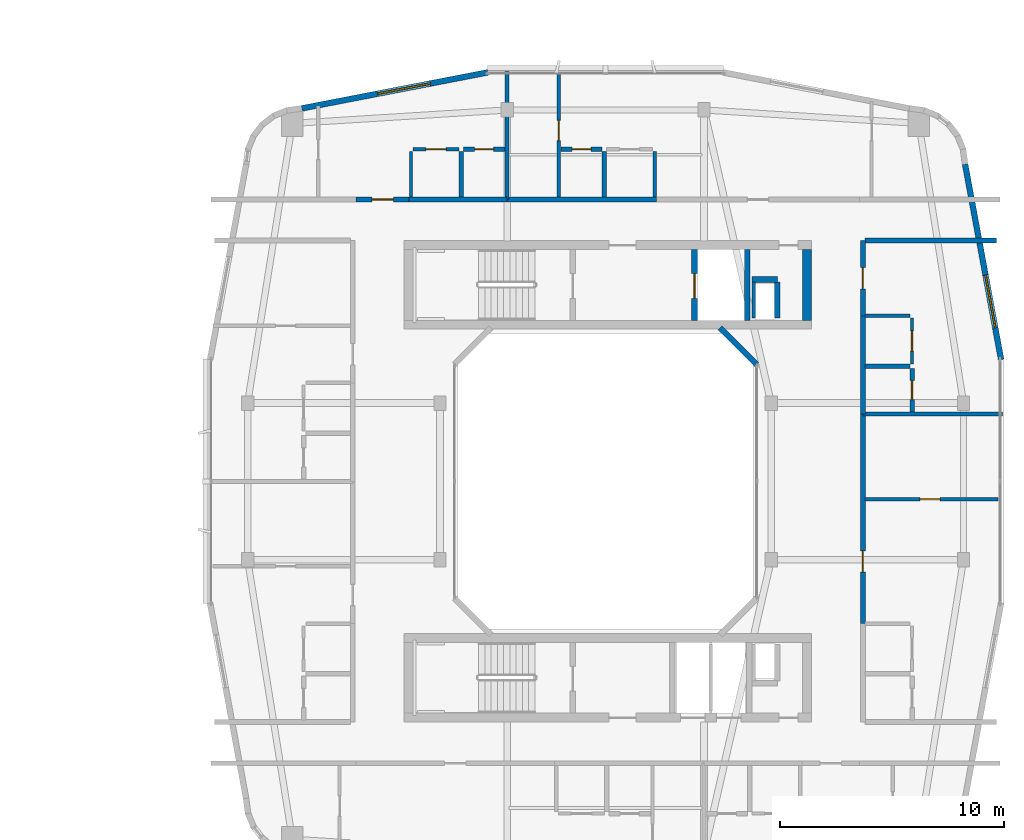
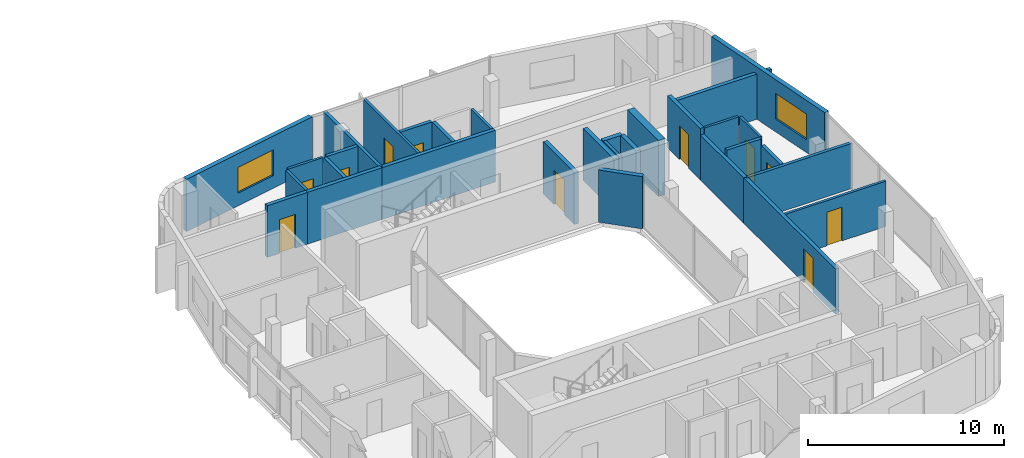
# One storey, part 19 of 26: 31 walls, 11 doors, 2 windows, 13 openings.
"""IFC4 building model written with IfcOpenShell, lengths in metres."""

import ifcopenshell
import ifcopenshell.guid

model = None  # the IFC model being written
_history = None  # IfcOwnerHistory: only IFC2X3 demands one
_inside = {}  # id of a spatial element -> (the spatial element, [elements in it])
_under = {}  # id of a project, library or spatial element -> (it, [spatial elements below it])
_declared = {}  # id of a project -> (the project, [libraries it declares])
_typed = {}  # id of a type object -> (the type object, [elements of that type])
_made_of = {}  # id of a material, layer set ... -> (it, [elements and type objects made of it])


def new_model(schema):
    """Start an empty IFC model of exactly this schema.

    Asked for "IFC4X3", IfcOpenShell would pick the latest addendum, in which some entities
    have other attributes; the version numbers below select the first issue.
    IFC2X3 requires an IfcOwnerHistory on every rooted entity: one is made here for all.
    """
    global model, _history
    if schema == "IFC4X3":
        model = ifcopenshell.file(schema_version=(4, 3, 0, 0))
    else:
        model = ifcopenshell.file(schema=schema)
    _inside.clear()
    _under.clear()
    _declared.clear()
    _typed.clear()
    _made_of.clear()
    _history = None
    if model.schema == "IFC2X3":
        org = make("IfcOrganization", Name="unknown")
        user = make(
            "IfcPersonAndOrganization",
            ThePerson=make("IfcPerson", FamilyName="unknown"),
            TheOrganization=org,
        )
        app = make(
            "IfcApplication",
            ApplicationDeveloper=org,
            Version="unknown",
            ApplicationFullName="unknown",
            ApplicationIdentifier="unknown",
        )
        _history = make(
            "IfcOwnerHistory",
            OwningUser=user,
            OwningApplication=app,
            ChangeAction="ADDED",
            CreationDate=0,
        )
    return model


def make(cls, **values):
    """One entity of the class cls with the attributes given. An attribute that is None is left unset."""
    return model.create_entity(
        cls, **{name: value for name, value in values.items() if value is not None}
    )


def rooted(cls, **values):
    """An entity with a GlobalId (a new one), such as an element, a storey or a relation."""
    return make(cls, GlobalId=ifcopenshell.guid.new(), OwnerHistory=_history, **values)


def si_unit(unit_type, name, prefix=None):
    """IfcSIUnit, for example si_unit("LENGTHUNIT", "METRE", prefix="MILLI")."""
    return make("IfcSIUnit", UnitType=unit_type, Prefix=prefix, Name=name)


def derived_unit(unit_type, elements):
    """IfcDerivedUnit: a product of units, each with its exponent."""
    return make(
        "IfcDerivedUnit",
        Elements=[
            make("IfcDerivedUnitElement", Unit=unit, Exponent=power)
            for unit, power in elements
        ],
        UnitType=unit_type,
    )


def assignment(units):
    """IfcUnitAssignment: the units of a project."""
    return None if units is None else make("IfcUnitAssignment", Units=units)


def point(xyz):
    """IfcCartesianPoint."""
    return None if xyz is None else make("IfcCartesianPoint", Coordinates=xyz)


def direction(xyz):
    """IfcDirection."""
    return None if xyz is None else make("IfcDirection", DirectionRatios=xyz)


def frame(location, z_axis=None, x_axis=None):
    """IfcAxis2Placement3D, a coordinate frame: its origin and axes. An axis left out is left unset."""
    return make(
        "IfcAxis2Placement3D",
        Location=point(location),
        Axis=direction(z_axis),
        RefDirection=direction(x_axis),
    )


def frame_2d(location, x_axis=None):
    """IfcAxis2Placement2D, a coordinate frame in the plane: its origin and x axis."""
    return make(
        "IfcAxis2Placement2D", Location=point(location), RefDirection=direction(x_axis)
    )


def origin():
    """The frame at (0, 0, 0) with its axes left unset."""
    return frame((0.0, 0.0, 0.0))


def place(relative_to, where):
    """IfcLocalPlacement: puts the frame where relative to a parent placement (None: the world)."""
    return make(
        "IfcLocalPlacement", PlacementRelTo=relative_to, RelativePlacement=where
    )


def context(
    kind, dimensions, precision=None, world=None, true_north=None, identifier=None
):
    """IfcGeometricRepresentationContext, for example the 3D "Model" context."""
    return make(
        "IfcGeometricRepresentationContext",
        ContextIdentifier=identifier,
        ContextType=kind,
        CoordinateSpaceDimension=dimensions,
        Precision=precision,
        WorldCoordinateSystem=world,
        TrueNorth=true_north,
    )


def subcontext(parent, identifier, kind, view, scale=None):
    """IfcGeometricRepresentationSubContext, for example "Body" below "Model"."""
    return make(
        "IfcGeometricRepresentationSubContext",
        ContextIdentifier=identifier,
        ContextType=kind,
        ParentContext=parent,
        TargetScale=scale,
        TargetView=view,
    )


def project(units=None, contexts=None):
    """IfcProject with its units and contexts."""
    return rooted(
        "IfcProject",
        Name="project",
        RepresentationContexts=contexts,
        UnitsInContext=assignment(units),
    )


def spatial(cls, under=None, at=None, **own):
    """A site, building, storey or space (cls), placed at a placement, below another one or the project."""
    s = rooted(cls, ObjectPlacement=at, **own)
    if under is not None:
        _under.setdefault(under.id(), (under, []))[1].append(s)
    return s


def profile(cls, at=None, kind="AREA", **sizes):
    """A parametric profile (cls). Its sizes go by their IFC names, for example OverallWidth=200.0."""
    return make(cls, ProfileType=kind, Position=at, **sizes)


def rectangle(**sizes):
    """IfcRectangleProfileDef."""
    return profile("IfcRectangleProfileDef", **sizes)


def extrude(swept, where, along, depth):
    """IfcExtrudedAreaSolid: the profile swept, set in the frame where, extruded along a direction by depth."""
    return make(
        "IfcExtrudedAreaSolid",
        SweptArea=swept,
        Position=where,
        ExtrudedDirection=direction(along),
        Depth=depth,
    )


def shape(context_of_items, identifier, shape_type, items):
    """IfcShapeRepresentation: the items that make up one representation, for example the "Body"."""
    return make(
        "IfcShapeRepresentation",
        ContextOfItems=context_of_items,
        RepresentationIdentifier=identifier,
        RepresentationType=shape_type,
        Items=items,
    )


def material(Name=None, Category=None):
    """IfcMaterial."""
    return make("IfcMaterial", Name=Name, Category=Category)


def layer(
    of_material, thickness, ventilated=None, Name=None, Category=None, Priority=None
):
    """IfcMaterialLayer: one layer of a wall or slab, of a material (None: an air gap)."""
    return make(
        "IfcMaterialLayer",
        Material=of_material,
        LayerThickness=thickness,
        IsVentilated=ventilated,
        Name=Name,
        Category=Category,
        Priority=Priority,
    )


def layer_set(layers, Name=None):
    """IfcMaterialLayerSet."""
    return make("IfcMaterialLayerSet", MaterialLayers=layers, LayerSetName=Name)


def made_of(thing, what):
    """Note that an element or type object is made of a material, layer set ...; save() writes the relation."""
    if what is not None:
        _made_of.setdefault(what.id(), (what, []))[1].append(thing)
    return thing


def type_object(cls, material=None, **own):
    """A type object (cls), such as IfcWallType, which elements share."""
    return made_of(rooted(cls, **own), material)


def element(
    cls,
    number,
    at=None,
    inside=None,
    cuts=None,
    type_object=None,
    material=None,
    context=None,
    identifier="Body",
    shape_type=None,
    held_by="IfcProductDefinitionShape",
    body=None,
    shapes=None,
    **own,
):
    """One element of the class cls, such as IfcWall. Its Tag is "e" and its number.

    at: its placement. inside: the storey or other place that contains it. cuts: it is an
    opening in that element (IfcRelVoidsElement). A single representation is given by context,
    identifier, shape_type and body (its items); several are given by shapes. held_by: the class
    of the entity that holds the representations. save() writes the other relations.
    """
    e = rooted(cls, Tag="e%d" % number, ObjectPlacement=at, **own)
    if body is not None:
        shapes = [shape(context, identifier, shape_type, body)]
    if shapes is not None:
        e.Representation = make(held_by, Representations=shapes)
    if inside is not None:
        _inside.setdefault(inside.id(), (inside, []))[1].append(e)
    if cuts is not None:
        rooted(
            "IfcRelVoidsElement", RelatingBuildingElement=cuts, RelatedOpeningElement=e
        )
    if type_object is not None:
        _typed.setdefault(type_object.id(), (type_object, []))[1].append(e)
    return made_of(e, material)


def fill(opening, filler):
    """IfcRelFillsElement: the door or window that sits in an opening."""
    return rooted(
        "IfcRelFillsElement",
        RelatingOpeningElement=opening,
        RelatedBuildingElement=filler,
    )


def aggregate(whole, parts):
    """IfcRelAggregates: a whole, such as a stair, and the parts it consists of."""
    return rooted("IfcRelAggregates", RelatingObject=whole, RelatedObjects=parts)


def save(model, path):
    """Write the relations noted so far, then the file.

    IfcRelAggregates (storeys below a building ...), IfcRelContainedInSpatialStructure (elements
    in a storey), IfcRelDefinesByType, IfcRelAssociatesMaterial and IfcRelDeclares: one each for
    every whole, place, type object, material and project.
    """
    for whole, parts in _under.values():
        aggregate(whole, parts)
    for where, things in _inside.values():
        rooted(
            "IfcRelContainedInSpatialStructure",
            RelatedElements=things,
            RelatingStructure=where,
        )
    for kind, things in _typed.values():
        rooted("IfcRelDefinesByType", RelatedObjects=things, RelatingType=kind)
    for what, things in _made_of.values():
        rooted("IfcRelAssociatesMaterial", RelatedObjects=things, RelatingMaterial=what)
    for by, libraries in _declared.values():
        rooted("IfcRelDeclares", RelatingContext=by, RelatedDefinitions=libraries)
    model.write(path)


model = new_model("IFC4")

# Units and contexts
model_context = context("Model", 3, precision=1e-05, world=origin(), true_north=direction((0.0, 1.0)))
body_context = subcontext(model_context, "Body", "Model", "MODEL_VIEW")
ifc_project = project(units=[si_unit("LENGTHUNIT", "METRE"), si_unit("AREAUNIT", "SQUARE_METRE"), si_unit("VOLUMEUNIT", "CUBIC_METRE"), si_unit("PLANEANGLEUNIT", "RADIAN"), si_unit("MASSUNIT", "GRAM", prefix="KILO"), derived_unit("THERMALTRANSMITTANCEUNIT", [(si_unit("POWERUNIT", "WATT"), 1), (si_unit("LENGTHUNIT", "METRE"), -2), (si_unit("THERMODYNAMICTEMPERATUREUNIT", "KELVIN"), -1)])], contexts=[model_context])

# Site, building, storey
site_placement = place(None, origin())
site = spatial("IfcSite", under=ifc_project, at=site_placement, CompositionType="ELEMENT")
building_placement = place(site_placement, origin())
building = spatial("IfcBuilding", under=site, at=building_placement, Name="Kivonza Crest Hotel", CompositionType="ELEMENT")
storey_placement = place(building_placement, frame((0.0, 0.0, 127.5)))
storey = spatial("IfcBuildingStorey", under=building, at=storey_placement, Name="L34", CompositionType="ELEMENT", Elevation=127.5)

# Walls
ifc_material_1 = material(Name="High-density acoustic masonry inter-tenancy wall", Category="masonry")
ifc_layer_1 = layer(ifc_material_1, 0.179931640625)
ifc_layer_set_1 = layer_set([ifc_layer_1], Name="High-density acoustic masonry inter-tenancy wall")
wall_type_1 = type_object("IfcWallType", Name="WL-ACOU-180", PredefinedType="SOLIDWALL", material=ifc_layer_set_1)
wall_1_placement = place(storey_placement, frame((72.60009765625, 37.60009765625, 0.0), z_axis=(0.0, 0.0, 1.0), x_axis=(0.0, 1.0, 0.0)))
element("IfcWall", 1, at=wall_1_placement, inside=storey, type_object=wall_type_1, Name="L34 interior partition WA-L34-T2N-DIV1", PredefinedType="SOLIDWALL", context=body_context, shape_type="SweptSolid", body=[
    extrude(rectangle(XDim=5.739990234375, YDim=0.179931640625, at=frame_2d((2.8701171875, 0.0))), origin(), (0.0, 0.0, 1.0), 3.219970703125),
])
wall_2_placement = place(storey_placement, frame((88.5, 28.0, 0.0), z_axis=(0.0, 0.0, 1.0), x_axis=(1.0, 0.0, 0.0)))
element("IfcWall", 2, at=wall_2_placement, inside=storey, type_object=wall_type_1, Name="L34 interior partition WA-L34-T2E-DIV1", PredefinedType="SOLIDWALL", context=body_context, shape_type="SweptSolid", body=[
    extrude(rectangle(XDim=6.239990234375, YDim=0.179931640625, at=frame_2d((3.1201171875, 0.0))), origin(), (0.0, 0.0, 1.0), 2.81494140625),
])
ifc_material_2 = material(Name="Autoclaved aerated concrete blockwork", Category="masonry")
ifc_layer_2 = layer(ifc_material_2, 0.219970703125)
ifc_layer_set_2 = layer_set([ifc_layer_2], Name="Autoclaved aerated concrete blockwork")
wall_type_2 = type_object("IfcWallType", Name="WL-ACOU-220", PredefinedType="SOLIDWALL", material=ifc_layer_set_2)
wall_3_placement = place(storey_placement, frame((68.219970703125, 37.60009765625, 0.0), z_axis=(0.0, 0.0, 1.0), x_axis=(1.0, 0.0, 0.0)))
element("IfcWall", 3, at=wall_3_placement, inside=storey, type_object=wall_type_2, Name="L34 interior partition WA-L34-A01-RCORR", PredefinedType="SOLIDWALL", context=body_context, shape_type="SweptSolid", body=[
    extrude(rectangle(XDim=4.380126953125, YDim=0.219970703125, at=frame_2d((2.18994140625, 0.0))), origin(), (0.0, 0.0, 1.0), 3.219970703125),
])

# Wall, opening, door
wall_4_placement = place(storey_placement, frame((65.85009765625, 37.60009765625, 0.0), z_axis=(0.0, 0.0, 1.0), x_axis=(1.0, 0.0, 0.0)))
wall_4 = element("IfcWall", 4, at=wall_4_placement, inside=storey, type_object=wall_type_2, Name="L34 interior partition WA-L34-A01-MCORR", PredefinedType="SOLIDWALL", context=body_context, shape_type="SweptSolid", body=[
    extrude(rectangle(XDim=2.369873046875, YDim=0.219970703125, at=frame_2d((1.18505859375, 0.0))), origin(), (0.0, 0.0, 1.0), 3.219970703125),
])
opening_1_placement = place(wall_4_placement, frame((0.7099609375, 0.0, 0.0)))
opening_1 = element("IfcOpeningElement", 5, at=opening_1_placement, cuts=wall_4, Name="Opening DU-60", PredefinedType="OPENING", context=body_context, shape_type="SweptSolid", body=[
    extrude(rectangle(XDim=0.949951171875, YDim=2.10009765625, at=frame_2d((0.47509765625, 1.050048828125))), frame((0.0, 0.1201171875, 0.0), z_axis=(0.0, -1.0, 0.0), x_axis=(1.0, 0.0, 0.0)), (0.0, 0.0, 1.0), 0.239990234375),
])
ifc_material_3 = material(Name="Hardwood timber oak", Category="wood")
door_type_1 = type_object("IfcDoorType", Name="DR-UNIT-950", OperationType="NOTDEFINED", PredefinedType="DOOR", material=ifc_material_3)
door_1_placement = place(opening_1_placement, origin())
door_1 = element("IfcDoor", 6, at=door_1_placement, inside=storey, type_object=door_type_1, Name="L34 A01 apartment entrance fire door", OperationType="SINGLE_SWING_LEFT", OverallHeight=2.10009765625, OverallWidth=0.949951171875, PredefinedType="DOOR", context=body_context, shape_type="SweptSolid", body=[
    extrude(rectangle(XDim=0.949951171875, YDim=2.10009765625, at=frame_2d((0.47509765625, 1.050048828125))), frame((0.0, 0.02490234375, 0.0), z_axis=(0.0, -1.0, 0.0), x_axis=(1.0, 0.0, 0.0)), (0.0, 0.0, 1.0), 0.050048828125),
])
fill(opening_1, door_1)

# Walls
wall_5_placement = place(storey_placement, frame((72.60009765625, 37.60009765625, 0.0), z_axis=(0.0, 0.0, 1.0), x_axis=(1.0, 0.0, 0.0)))
element("IfcWall", 7, at=wall_5_placement, inside=storey, type_object=wall_type_2, Name="L34 interior partition WA-L34-A02-LCORR", PredefinedType="SOLIDWALL", context=body_context, shape_type="SweptSolid", body=[
    extrude(rectangle(XDim=6.679931640625, YDim=0.219970703125, at=frame_2d((3.33984375, 0.0))), origin(), (0.0, 0.0, 1.0), 3.219970703125),
])
wall_6_placement = place(storey_placement, frame((88.60009765625, 35.760009765625, 0.0), z_axis=(0.0, 0.0, 1.0), x_axis=(1.0, 0.0, 0.0)))
element("IfcWall", 8, at=wall_6_placement, inside=storey, type_object=wall_type_2, Name="L34 interior partition WA-L34-T2E-ENDN", PredefinedType="SOLIDWALL", context=body_context, shape_type="SweptSolid", body=[
    extrude(rectangle(XDim=5.8798828125, YDim=0.219970703125, at=frame_2d((2.93994140625, 0.0))), origin(), (0.0, 0.0, 1.0), 2.81494140625),
])

# Wall, opening, door
wall_7_placement = place(storey_placement, frame((88.5, 18.639892578125, 0.0), z_axis=(0.0, 0.0, 1.0), x_axis=(0.0, 1.0, 0.0)))
wall_7 = element("IfcWall", 9, at=wall_7_placement, inside=storey, type_object=wall_type_2, Name="L34 interior partition WA-L34-A07-MCORR", PredefinedType="SOLIDWALL", context=body_context, shape_type="SweptSolid", body=[
    extrude(rectangle(XDim=9.360107421875, YDim=0.219970703125, at=frame_2d((4.68017578125, 0.0))), origin(), (0.0, 0.0, 1.0), 2.81494140625),
])
opening_2_placement = place(wall_7_placement, frame((2.304931640625, 0.0, 0.0)))
opening_2 = element("IfcOpeningElement", 10, at=opening_2_placement, cuts=wall_7, Name="Opening DU-60", PredefinedType="OPENING", context=body_context, shape_type="SweptSolid", body=[
    extrude(rectangle(XDim=0.949951171875, YDim=2.10009765625, at=frame_2d((0.47509765625, 1.050048828125))), frame((0.0, 0.1201171875, 0.0), z_axis=(0.0, -1.0, 0.0), x_axis=(1.0, 0.0, 0.0)), (0.0, 0.0, 1.0), 0.239990234375),
])
door_2_placement = place(opening_2_placement, frame((0.949951171875, 0.0, 0.0), z_axis=(0.0, 0.0, 1.0), x_axis=(-1.0, 0.0, 0.0)))
door_2 = element("IfcDoor", 11, at=door_2_placement, inside=storey, type_object=door_type_1, Name="L34 A07 apartment entrance fire door", OperationType="SINGLE_SWING_LEFT", OverallHeight=2.10009765625, OverallWidth=0.949951171875, PredefinedType="DOOR", context=body_context, shape_type="SweptSolid", body=[
    extrude(rectangle(XDim=0.949951171875, YDim=2.10009765625, at=frame_2d((0.47509765625, 1.050048828125))), frame((0.0, 0.02490234375, 0.0), z_axis=(0.0, -1.0, 0.0), x_axis=(1.0, 0.0, 0.0)), (0.0, 0.0, 1.0), 0.050048828125),
])
fill(opening_2, door_2)

# Wall
wall_8_placement = place(storey_placement, frame((88.5, 28.0, 0.0), z_axis=(0.0, 0.0, 1.0), x_axis=(0.0, 1.0, 0.0)))
element("IfcWall", 12, at=wall_8_placement, inside=storey, type_object=wall_type_2, Name="L34 interior partition WA-L34-A08-BCORR", PredefinedType="SOLIDWALL", context=body_context, shape_type="SweptSolid", body=[
    extrude(rectangle(XDim=4.39990234375, YDim=0.219970703125, at=frame_2d((2.199951171875, 0.0))), origin(), (0.0, 0.0, 1.0), 2.81494140625),
])

# Wall, opening, door
wall_9_placement = place(storey_placement, frame((88.5, 32.39990234375, 0.0), z_axis=(0.0, 0.0, 1.0), x_axis=(0.0, 1.0, 0.0)))
wall_9 = element("IfcWall", 13, at=wall_9_placement, inside=storey, type_object=wall_type_2, Name="L34 interior partition WA-L34-A08-MCORR", PredefinedType="SOLIDWALL", context=body_context, shape_type="SweptSolid", body=[
    extrude(rectangle(XDim=3.360107421875, YDim=0.219970703125, at=frame_2d((1.68017578125, 0.0))), origin(), (0.0, 0.0, 1.0), 3.219970703125),
])
opening_3_placement = place(wall_9_placement, frame((1.205078125, 0.0, 0.0)))
opening_3 = element("IfcOpeningElement", 14, at=opening_3_placement, cuts=wall_9, Name="Opening DU-60", PredefinedType="OPENING", context=body_context, shape_type="SweptSolid", body=[
    extrude(rectangle(XDim=0.949951171875, YDim=2.10009765625, at=frame_2d((0.47509765625, 1.050048828125))), frame((0.0, 0.1201171875, 0.0), z_axis=(0.0, -1.0, 0.0), x_axis=(1.0, 0.0, 0.0)), (0.0, 0.0, 1.0), 0.239990234375),
])
door_3_placement = place(opening_3_placement, frame((0.949951171875, 0.0, 0.0), z_axis=(0.0, 0.0, 1.0), x_axis=(-1.0, 0.0, 0.0)))
door_3 = element("IfcDoor", 15, at=door_3_placement, inside=storey, type_object=door_type_1, Name="L34 A08 apartment entrance fire door", OperationType="SINGLE_SWING_RIGHT", OverallHeight=2.10009765625, OverallWidth=0.949951171875, PredefinedType="DOOR", context=body_context, shape_type="SweptSolid", body=[
    extrude(rectangle(XDim=0.949951171875, YDim=2.10009765625, at=frame_2d((0.47509765625, 1.050048828125))), frame((0.0, 0.02490234375, 0.0), z_axis=(0.0, -1.0, 0.0), x_axis=(1.0, 0.0, 0.0)), (0.0, 0.0, 1.0), 0.050048828125),
])
fill(opening_3, door_3)

# Wall
ifc_material_4 = material(Name="Concrete C50/60", Category="concrete")
ifc_layer_3 = layer(ifc_material_4, 0.39990234375)
ifc_layer_set_3 = layer_set([ifc_layer_3], Name="Concrete C50/60")
wall_type_3 = type_object("IfcWallType", Name="WL-CORE-400", PredefinedType="SHEAR", material=ifc_layer_set_3)
wall_10_placement = place(storey_placement, frame((86.0, 32.199951171875, 0.0), z_axis=(0.0, 0.0, 1.0), x_axis=(0.0, 1.0, 0.0)))
element("IfcWall", 16, at=wall_10_placement, inside=storey, type_object=wall_type_3, Name="Core wall T2-N East L34", PredefinedType="SHEAR", context=body_context, shape_type="SweptSolid", body=[
    extrude(rectangle(XDim=3.16015625, YDim=0.39990234375, at=frame_2d((1.580078125, 0.0))), origin(), (0.0, 0.0, 1.0), 3.5),
])

# Wall, opening, window
ifc_material_5 = material(Name="Precast concrete C40/50", Category="concrete")
ifc_layer_4 = layer(ifc_material_5, 0.260009765625)
ifc_layer_set_4 = layer_set([ifc_layer_4], Name="Precast concrete C40/50")
wall_type_4 = type_object("IfcWallType", Name="WL-EXT-260", PredefinedType="STANDARD", material=ifc_layer_set_4)
wall_11_placement = place(storey_placement, frame((94.681884765625, 30.44189453125, 0.0), z_axis=(0.0, 0.0, 1.0), x_axis=(-0.181209963057, 0.983444431215, 0.0)))
wall_11 = element("IfcWall", 17, at=wall_11_placement, inside=storey, type_object=wall_type_4, Name="L34 T2 exterior insulated wall 18", PredefinedType="STANDARD", context=body_context, shape_type="SweptSolid", body=[
    extrude(rectangle(XDim=8.889404296875, YDim=0.260009765625, at=frame_2d((4.44482421875, 0.0))), origin(), (0.0, 0.0, 1.0), 3.25),
])
opening_4_placement = place(wall_11_placement, frame((1.444091796875, 0.0, 0.800048828125)))
opening_4 = element("IfcOpeningElement", 18, at=opening_4_placement, cuts=wall_11, Name="Opening WN-05", PredefinedType="OPENING", context=body_context, shape_type="SweptSolid", body=[
    extrude(rectangle(XDim=2.39990234375, YDim=1.60009765625, at=frame_2d((1.199951171875, 0.800048828125))), frame((0.0, 0.14013671875, 0.0), z_axis=(0.0, -1.0, 0.0), x_axis=(1.0, 0.0, 0.0)), (0.0, 0.0, 1.0), 0.280029296875),
])
ifc_material_6 = material(Name="Thermally broken bronze aluminium and low-E double glazing", Category="aluminium")
window_type = type_object("IfcWindowType", Name="WN-240x160", PartitioningType="TRIPLE_PANEL_VERTICAL", PredefinedType="WINDOW", material=ifc_material_6)
window_1_placement = place(opening_4_placement, origin())
window_1 = element("IfcWindow", 19, at=window_1_placement, inside=storey, type_object=window_type, Name="L34 T2 facade window 18", OverallHeight=1.60009765625, OverallWidth=2.39990234375, PartitioningType="SINGLE_PANEL", PredefinedType="WINDOW", context=body_context, shape_type="SweptSolid", body=[
    extrude(rectangle(XDim=2.39990234375, YDim=1.60009765625, at=frame_2d((1.199951171875, 0.800048828125))), frame((0.0, 0.030029296875, 0.0), z_axis=(0.0, -1.0, 0.0), x_axis=(1.0, 0.0, 0.0)), (0.0, 0.0, 1.0), 0.06005859375),
])
fill(opening_4, window_1)

wall_12_placement = place(storey_placement, frame((71.739013671875, 43.281982421875, 0.0), z_axis=(0.0, 0.0, 1.0), x_axis=(-0.981750199588, -0.190175039396, 0.0)))
wall_12 = element("IfcWall", 20, at=wall_12_placement, inside=storey, type_object=wall_type_4, Name="L34 T2 exterior insulated wall 27", PredefinedType="STANDARD", context=body_context, shape_type="SweptSolid", body=[
    extrude(rectangle(XDim=8.476806640625, YDim=0.260009765625, at=frame_2d((4.23828125, 0.0))), origin(), (0.0, 0.0, 1.0), 3.25),
])
opening_5_placement = place(wall_12_placement, frame((2.623046875, 0.0, 0.800048828125)))
opening_5 = element("IfcOpeningElement", 21, at=opening_5_placement, cuts=wall_12, Name="Opening WN-05", PredefinedType="OPENING", context=body_context, shape_type="SweptSolid", body=[
    extrude(rectangle(XDim=2.39990234375, YDim=1.60009765625, at=frame_2d((1.199951171875, 0.800048828125))), frame((0.0, 0.14013671875, 0.0), z_axis=(0.0, -1.0, 0.0), x_axis=(1.0, 0.0, 0.0)), (0.0, 0.0, 1.0), 0.280029296875),
])
window_2_placement = place(opening_5_placement, origin())
window_2 = element("IfcWindow", 22, at=window_2_placement, inside=storey, type_object=window_type, Name="L34 T2 facade window 27", OverallHeight=1.60009765625, OverallWidth=2.39990234375, PartitioningType="SINGLE_PANEL", PredefinedType="WINDOW", context=body_context, shape_type="SweptSolid", body=[
    extrude(rectangle(XDim=2.39990234375, YDim=1.60009765625, at=frame_2d((1.199951171875, 0.800048828125))), frame((0.0, 0.030029296875, 0.0), z_axis=(0.0, -1.0, 0.0), x_axis=(1.0, 0.0, 0.0)), (0.0, 0.0, 1.0), 0.06005859375),
])
fill(opening_5, window_2)

# Walls
wall_13_placement = place(storey_placement, frame((83.756103515625, 30.22802734375, 0.0), z_axis=(0.0, 0.0, 1.0), x_axis=(-0.707106781187, 0.707106781187, 0.0)))
element("IfcWall", 23, at=wall_13_placement, inside=storey, type_object=wall_type_4, Name="L34 T2 light-well exterior wall 4", PredefinedType="STANDARD", context=body_context, shape_type="SweptSolid", body=[
    extrude(rectangle(XDim=2.310791015625, YDim=0.260009765625, at=frame_2d((1.1552734375, 0.0))), origin(), (0.0, 0.0, 1.0), 3.25),
])
ifc_material_7 = material(Name="Concrete blockwork fire-compartment wall", Category="masonry")
ifc_layer_5 = layer(ifc_material_7, 0.25)
ifc_layer_set_5 = layer_set([ifc_layer_5], Name="Concrete blockwork fire-compartment wall")
wall_type_5 = type_object("IfcWallType", Name="WL-FIRE-250", PredefinedType="SOLIDWALL", material=ifc_layer_set_5)
wall_14_placement = place(storey_placement, frame((84.679931640625, 32.300048828125, 0.0), z_axis=(0.0, 0.0, 1.0), x_axis=(0.0, 1.0, 0.0)))
element("IfcWall", 24, at=wall_14_placement, inside=storey, type_object=wall_type_5, Name="L34 interior partition WA-L34-T2-N-MEPR-E", PredefinedType="SOLIDWALL", context=body_context, shape_type="SweptSolid", body=[
    extrude(rectangle(XDim=1.619873046875, YDim=0.25, at=frame_2d((0.81005859375, 0.0))), origin(), (0.0, 0.0, 1.0), 3.219970703125),
])
wall_15_placement = place(storey_placement, frame((83.550048828125, 34.02001953125, 0.0), z_axis=(0.0, 0.0, 1.0), x_axis=(1.0, 0.0, 0.0)))
element("IfcWall", 25, at=wall_15_placement, inside=storey, type_object=wall_type_5, Name="L34 interior partition WA-L34-T2-N-MEPR-H", PredefinedType="SOLIDWALL", context=body_context, shape_type="SweptSolid", body=[
    extrude(rectangle(XDim=1.1298828125, YDim=0.25, at=frame_2d((0.56494140625, 0.0))), origin(), (0.0, 0.0, 1.0), 3.219970703125),
])
ifc_material_8 = material(Name="Twin-stud acoustic gypsum board partition", Category="gypsum")
ifc_layer_6 = layer(ifc_material_8, 0.14990234375)
ifc_layer_set_6 = layer_set([ifc_layer_6], Name="Twin-stud acoustic gypsum board partition")
wall_type_6 = type_object("IfcWallType", Name="WL-PART-150", PredefinedType="PARTITIONING", material=ifc_layer_set_6)
wall_16_placement = place(storey_placement, frame((83.6298828125, 32.300048828125, 0.0), z_axis=(0.0, 0.0, 1.0), x_axis=(0.0, 1.0, 0.0)))
element("IfcWall", 26, at=wall_16_placement, inside=storey, type_object=wall_type_6, Name="L34 interior partition WA-L34-T2-N-MEPR-W", PredefinedType="PARTITIONING", context=body_context, shape_type="SweptSolid", body=[
    extrude(rectangle(XDim=1.619873046875, YDim=0.14990234375, at=frame_2d((0.81005859375, 0.0))), origin(), (0.0, 0.0, 1.0), 3.219970703125),
])
wall_17_placement = place(storey_placement, frame((68.300048828125, 37.699951171875, 0.0), z_axis=(0.0, 0.0, 1.0), x_axis=(0.0, 1.0, 0.0)))
element("IfcWall", 27, at=wall_17_placement, inside=storey, type_object=wall_type_6, Name="L34 interior partition WP-L34-A01-KF", PredefinedType="PARTITIONING", context=body_context, shape_type="SweptSolid", body=[
    extrude(rectangle(XDim=2.050048828125, YDim=0.14990234375, at=frame_2d((1.02490234375, 0.0))), origin(), (0.0, 0.0, 1.0), 3.219970703125),
])

# Wall, opening, door
wall_18_placement = place(storey_placement, frame((68.39990234375, 39.85009765625, 0.0), z_axis=(0.0, 0.0, 1.0), x_axis=(1.0, 0.0, 0.0)))
wall_18 = element("IfcWall", 28, at=wall_18_placement, inside=storey, type_object=wall_type_6, Name="L34 interior partition WP-L34-A01-KSVC", PredefinedType="PARTITIONING", context=body_context, shape_type="SweptSolid", body=[
    extrude(rectangle(XDim=2.050048828125, YDim=0.14990234375, at=frame_2d((1.02490234375, 0.0))), origin(), (0.0, 0.0, 1.0), 3.219970703125),
])
opening_6_placement = place(wall_18_placement, frame((0.574951171875, 0.0, 0.0)))
opening_6 = element("IfcOpeningElement", 29, at=opening_6_placement, cuts=wall_18, Name="Opening DI-90", PredefinedType="OPENING", context=body_context, shape_type="SweptSolid", body=[
    extrude(rectangle(XDim=0.89990234375, YDim=2.10009765625, at=frame_2d((0.449951171875, 1.050048828125))), frame((0.0, 0.0849609375, 0.0), z_axis=(0.0, -1.0, 0.0), x_axis=(1.0, 0.0, 0.0)), (0.0, 0.0, 1.0), 0.169921875),
])
door_type_2 = type_object("IfcDoorType", Name="DR-INT-900", OperationType="NOTDEFINED", PredefinedType="DOOR", material=ifc_material_3)
door_4_placement = place(opening_6_placement, origin())
door_4 = element("IfcDoor", 30, at=door_4_placement, inside=storey, type_object=door_type_2, Name="L34 A01 apartment kitchen door", OperationType="SINGLE_SWING_LEFT", OverallHeight=2.10009765625, OverallWidth=0.89990234375, PredefinedType="DOOR", context=body_context, shape_type="SweptSolid", body=[
    extrude(rectangle(XDim=0.89990234375, YDim=2.10009765625, at=frame_2d((0.449951171875, 1.050048828125))), frame((0.0, 0.02490234375, 0.0), z_axis=(0.0, -1.0, 0.0), x_axis=(1.0, 0.0, 0.0)), (0.0, 0.0, 1.0), 0.050048828125),
])
fill(opening_6, door_4)

wall_19_placement = place(storey_placement, frame((74.89990234375, 37.699951171875, 0.0), z_axis=(0.0, 0.0, 1.0), x_axis=(0.0, 1.0, 0.0)))
wall_19 = element("IfcWall", 31, at=wall_19_placement, inside=storey, type_object=wall_type_6, Name="L34 interior partition WP-L34-A02-BDW1", PredefinedType="PARTITIONING", context=body_context, shape_type="SweptSolid", body=[
    extrude(rectangle(XDim=5.5400390625, YDim=0.14990234375, at=frame_2d((2.77001953125, 0.0))), origin(), (0.0, 0.0, 1.0), 3.219970703125),
])
opening_7_placement = place(wall_19_placement, frame((2.530029296875, 0.0, 0.0)))
opening_7 = element("IfcOpeningElement", 32, at=opening_7_placement, cuts=wall_19, Name="Opening DI-90", PredefinedType="OPENING", context=body_context, shape_type="SweptSolid", body=[
    extrude(rectangle(XDim=0.89990234375, YDim=2.10009765625, at=frame_2d((0.449951171875, 1.050048828125))), frame((0.0, 0.0849609375, 0.0), z_axis=(0.0, -1.0, 0.0), x_axis=(1.0, 0.0, 0.0)), (0.0, 0.0, 1.0), 0.169921875),
])
door_5_placement = place(opening_7_placement, origin())
door_5 = element("IfcDoor", 33, at=door_5_placement, inside=storey, type_object=door_type_2, Name="L34 A02 bedroom 1 door", OperationType="SINGLE_SWING_LEFT", OverallHeight=2.10009765625, OverallWidth=0.89990234375, PredefinedType="DOOR", context=body_context, shape_type="SweptSolid", body=[
    extrude(rectangle(XDim=0.89990234375, YDim=2.10009765625, at=frame_2d((0.449951171875, 1.050048828125))), frame((0.0, 0.02490234375, 0.0), z_axis=(0.0, -1.0, 0.0), x_axis=(1.0, 0.0, 0.0)), (0.0, 0.0, 1.0), 0.050048828125),
])
fill(opening_7, door_5)

# Wall
wall_20_placement = place(storey_placement, frame((79.199951171875, 37.699951171875, 0.0), z_axis=(0.0, 0.0, 1.0), x_axis=(0.0, 1.0, 0.0)))
element("IfcWall", 34, at=wall_20_placement, inside=storey, type_object=wall_type_6, Name="L34 interior partition WP-L34-A02-KF", PredefinedType="PARTITIONING", context=body_context, shape_type="SweptSolid", body=[
    extrude(rectangle(XDim=2.050048828125, YDim=0.14990234375, at=frame_2d((1.02490234375, 0.0))), origin(), (0.0, 0.0, 1.0), 3.219970703125),
])

# Wall, opening, door
wall_21_placement = place(storey_placement, frame((88.60009765625, 24.199951171875, 0.0), z_axis=(0.0, 0.0, 1.0), x_axis=(1.0, 0.0, 0.0)))
wall_21 = element("IfcWall", 35, at=wall_21_placement, inside=storey, type_object=wall_type_6, Name="L34 interior partition WP-L34-A07-BD1", PredefinedType="PARTITIONING", context=body_context, shape_type="SweptSolid", body=[
    extrude(rectangle(XDim=5.93994140625, YDim=0.14990234375, at=frame_2d((2.969970703125, 0.0))), origin(), (0.0, 0.0, 1.0), 2.81494140625),
])
opening_8_placement = place(wall_21_placement, frame((2.449951171875, 0.0, 0.0)))
opening_8 = element("IfcOpeningElement", 36, at=opening_8_placement, cuts=wall_21, Name="Opening DI-90", PredefinedType="OPENING", context=body_context, shape_type="SweptSolid", body=[
    extrude(rectangle(XDim=0.89990234375, YDim=2.10009765625, at=frame_2d((0.449951171875, 1.050048828125))), frame((0.0, 0.0849609375, 0.0), z_axis=(0.0, -1.0, 0.0), x_axis=(1.0, 0.0, 0.0)), (0.0, 0.0, 1.0), 0.169921875),
])
door_6_placement = place(opening_8_placement, origin())
door_6 = element("IfcDoor", 37, at=door_6_placement, inside=storey, type_object=door_type_2, Name="L34 A07 bedroom door", OperationType="SINGLE_SWING_RIGHT", OverallHeight=2.10009765625, OverallWidth=0.89990234375, PredefinedType="DOOR", context=body_context, shape_type="SweptSolid", body=[
    extrude(rectangle(XDim=0.89990234375, YDim=2.10009765625, at=frame_2d((0.449951171875, 1.050048828125))), frame((0.0, 0.02490234375, 0.0), z_axis=(0.0, -1.0, 0.0), x_axis=(1.0, 0.0, 0.0)), (0.0, 0.0, 1.0), 0.050048828125),
])
fill(opening_8, door_6)

# Wall
wall_22_placement = place(storey_placement, frame((88.60009765625, 32.39990234375, 0.0), z_axis=(0.0, 0.0, 1.0), x_axis=(1.0, 0.0, 0.0)))
element("IfcWall", 38, at=wall_22_placement, inside=storey, type_object=wall_type_6, Name="L34 interior partition WP-L34-A08-KF", PredefinedType="PARTITIONING", context=body_context, shape_type="SweptSolid", body=[
    extrude(rectangle(XDim=2.0, YDim=0.14990234375, at=frame_2d((1.0, 0.0))), origin(), (0.0, 0.0, 1.0), 3.219970703125),
])

# Wall, opening, door
wall_23_placement = place(storey_placement, frame((90.699951171875, 30.25, 0.0), z_axis=(0.0, 0.0, 1.0), x_axis=(0.0, 1.0, 0.0)))
wall_23 = element("IfcWall", 39, at=wall_23_placement, inside=storey, type_object=wall_type_6, Name="L34 interior partition WP-L34-A08-KSVC", PredefinedType="PARTITIONING", context=body_context, shape_type="SweptSolid", body=[
    extrude(rectangle(XDim=2.050048828125, YDim=0.14990234375, at=frame_2d((1.02490234375, 0.0))), origin(), (0.0, 0.0, 1.0), 3.219970703125),
])
opening_9_placement = place(wall_23_placement, frame((0.574951171875, 0.0, 0.0)))
opening_9 = element("IfcOpeningElement", 40, at=opening_9_placement, cuts=wall_23, Name="Opening DI-90", PredefinedType="OPENING", context=body_context, shape_type="SweptSolid", body=[
    extrude(rectangle(XDim=0.89990234375, YDim=2.10009765625, at=frame_2d((0.449951171875, 1.050048828125))), frame((0.0, 0.0849609375, 0.0), z_axis=(0.0, -1.0, 0.0), x_axis=(1.0, 0.0, 0.0)), (0.0, 0.0, 1.0), 0.169921875),
])
door_7_placement = place(opening_9_placement, frame((0.89990234375, 0.0, 0.0), z_axis=(0.0, 0.0, 1.0), x_axis=(-1.0, 0.0, 0.0)))
door_7 = element("IfcDoor", 41, at=door_7_placement, inside=storey, type_object=door_type_2, Name="L34 A08 apartment kitchen door", OperationType="SINGLE_SWING_RIGHT", OverallHeight=2.10009765625, OverallWidth=0.89990234375, PredefinedType="DOOR", context=body_context, shape_type="SweptSolid", body=[
    extrude(rectangle(XDim=0.89990234375, YDim=2.10009765625, at=frame_2d((0.449951171875, 1.050048828125))), frame((0.0, 0.02490234375, 0.0), z_axis=(0.0, -1.0, 0.0), x_axis=(1.0, 0.0, 0.0)), (0.0, 0.0, 1.0), 0.050048828125),
])
fill(opening_9, door_7)

# Wall
ifc_material_9 = material(Name="Moisture-resistant plumbing chase partition wall", Category="gypsum")
ifc_layer_7 = layer(ifc_material_9, 0.199951171875)
ifc_layer_set_7 = layer_set([ifc_layer_7], Name="Moisture-resistant plumbing chase partition wall")
wall_type_7 = type_object("IfcWallType", Name="WL-PLUMB-200", PredefinedType="PLUMBINGWALL", material=ifc_layer_set_7)
wall_24_placement = place(storey_placement, frame((70.550048828125, 37.699951171875, 0.0), z_axis=(0.0, 0.0, 1.0), x_axis=(0.0, 1.0, 0.0)))
element("IfcWall", 42, at=wall_24_placement, inside=storey, type_object=wall_type_7, Name="L34 interior partition WW-L34-A01-BK", PredefinedType="PLUMBINGWALL", context=body_context, shape_type="SweptSolid", body=[
    extrude(rectangle(XDim=2.050048828125, YDim=0.199951171875, at=frame_2d((1.02490234375, 0.0))), origin(), (0.0, 0.0, 1.0), 3.219970703125),
])

# Wall, opening, door
wall_25_placement = place(storey_placement, frame((70.64990234375, 39.85009765625, 0.0), z_axis=(0.0, 0.0, 1.0), x_axis=(1.0, 0.0, 0.0)))
wall_25 = element("IfcWall", 43, at=wall_25_placement, inside=storey, type_object=wall_type_7, Name="L34 interior partition WW-L34-A01-BSVC", PredefinedType="PLUMBINGWALL", context=body_context, shape_type="SweptSolid", body=[
    extrude(rectangle(XDim=1.85009765625, YDim=0.199951171875, at=frame_2d((0.925048828125, 0.0))), origin(), (0.0, 0.0, 1.0), 3.219970703125),
])
opening_10_placement = place(wall_25_placement, frame((0.5, 0.0, 0.0)))
opening_10 = element("IfcOpeningElement", 44, at=opening_10_placement, cuts=wall_25, Name="Opening DI-85", PredefinedType="OPENING", context=body_context, shape_type="SweptSolid", body=[
    extrude(rectangle(XDim=0.85009765625, YDim=2.10009765625, at=frame_2d((0.425048828125, 1.050048828125))), frame((0.0, 0.10986328125, 0.0), z_axis=(0.0, -1.0, 0.0), x_axis=(1.0, 0.0, 0.0)), (0.0, 0.0, 1.0), 0.219970703125),
])
door_type_3 = type_object("IfcDoorType", Name="DR-INT-850", OperationType="NOTDEFINED", PredefinedType="DOOR", material=ifc_material_3)
door_8_placement = place(opening_10_placement, origin())
door_8 = element("IfcDoor", 45, at=door_8_placement, inside=storey, type_object=door_type_3, Name="L34 A01 apartment bathroom door", OperationType="SINGLE_SWING_RIGHT", OverallHeight=2.10009765625, OverallWidth=0.85009765625, PredefinedType="DOOR", context=body_context, shape_type="SweptSolid", body=[
    extrude(rectangle(XDim=0.85009765625, YDim=2.10009765625, at=frame_2d((0.425048828125, 1.050048828125))), frame((0.0, 0.02490234375, 0.0), z_axis=(0.0, -1.0, 0.0), x_axis=(1.0, 0.0, 0.0)), (0.0, 0.0, 1.0), 0.050048828125),
])
fill(opening_10, door_8)

# Wall
wall_26_placement = place(storey_placement, frame((76.949951171875, 37.699951171875, 0.0), z_axis=(0.0, 0.0, 1.0), x_axis=(0.0, 1.0, 0.0)))
element("IfcWall", 46, at=wall_26_placement, inside=storey, type_object=wall_type_7, Name="L34 interior partition WW-L34-A02-BK", PredefinedType="PLUMBINGWALL", context=body_context, shape_type="SweptSolid", body=[
    extrude(rectangle(XDim=2.050048828125, YDim=0.199951171875, at=frame_2d((1.02490234375, 0.0))), origin(), (0.0, 0.0, 1.0), 3.219970703125),
])

# Wall, opening, door
wall_27_placement = place(storey_placement, frame((75.0, 39.85009765625, 0.0), z_axis=(0.0, 0.0, 1.0), x_axis=(1.0, 0.0, 0.0)))
wall_27 = element("IfcWall", 47, at=wall_27_placement, inside=storey, type_object=wall_type_7, Name="L34 interior partition WW-L34-A02-BSVC", PredefinedType="PLUMBINGWALL", context=body_context, shape_type="SweptSolid", body=[
    extrude(rectangle(XDim=1.85009765625, YDim=0.199951171875, at=frame_2d((0.925048828125, 0.0))), origin(), (0.0, 0.0, 1.0), 3.219970703125),
])
opening_11_placement = place(wall_27_placement, frame((0.5, 0.0, 0.0)))
opening_11 = element("IfcOpeningElement", 48, at=opening_11_placement, cuts=wall_27, Name="Opening DI-85", PredefinedType="OPENING", context=body_context, shape_type="SweptSolid", body=[
    extrude(rectangle(XDim=0.85009765625, YDim=2.10009765625, at=frame_2d((0.425048828125, 1.050048828125))), frame((0.0, 0.10986328125, 0.0), z_axis=(0.0, -1.0, 0.0), x_axis=(1.0, 0.0, 0.0)), (0.0, 0.0, 1.0), 0.219970703125),
])
door_9_placement = place(opening_11_placement, origin())
door_9 = element("IfcDoor", 49, at=door_9_placement, inside=storey, type_object=door_type_3, Name="L34 A02 apartment bathroom door", OperationType="SINGLE_SWING_LEFT", OverallHeight=2.10009765625, OverallWidth=0.85009765625, PredefinedType="DOOR", context=body_context, shape_type="SweptSolid", body=[
    extrude(rectangle(XDim=0.85009765625, YDim=2.10009765625, at=frame_2d((0.425048828125, 1.050048828125))), frame((0.0, 0.02490234375, 0.0), z_axis=(0.0, -1.0, 0.0), x_axis=(1.0, 0.0, 0.0)), (0.0, 0.0, 1.0), 0.050048828125),
])
fill(opening_11, door_9)

# Wall
wall_28_placement = place(storey_placement, frame((88.60009765625, 30.14990234375, 0.0), z_axis=(0.0, 0.0, 1.0), x_axis=(1.0, 0.0, 0.0)))
element("IfcWall", 50, at=wall_28_placement, inside=storey, type_object=wall_type_7, Name="L34 interior partition WW-L34-A08-BK", PredefinedType="PLUMBINGWALL", context=body_context, shape_type="SweptSolid", body=[
    extrude(rectangle(XDim=2.0, YDim=0.199951171875, at=frame_2d((1.0, 0.0))), origin(), (0.0, 0.0, 1.0), 3.219970703125),
])

# Wall, opening, door
wall_29_placement = place(storey_placement, frame((90.699951171875, 28.10009765625, 0.0), z_axis=(0.0, 0.0, 1.0), x_axis=(0.0, 1.0, 0.0)))
wall_29 = element("IfcWall", 51, at=wall_29_placement, inside=storey, type_object=wall_type_7, Name="L34 interior partition WW-L34-A08-BSVC", PredefinedType="PLUMBINGWALL", context=body_context, shape_type="SweptSolid", body=[
    extrude(rectangle(XDim=1.949951171875, YDim=0.199951171875, at=frame_2d((0.97509765625, 0.0))), origin(), (0.0, 0.0, 1.0), 2.81494140625),
])
opening_12_placement = place(wall_29_placement, frame((0.550048828125, 0.0, 0.0)))
opening_12 = element("IfcOpeningElement", 52, at=opening_12_placement, cuts=wall_29, Name="Opening DI-85", PredefinedType="OPENING", context=body_context, shape_type="SweptSolid", body=[
    extrude(rectangle(XDim=0.85009765625, YDim=2.10009765625, at=frame_2d((0.425048828125, 1.050048828125))), frame((0.0, 0.10986328125, 0.0), z_axis=(0.0, -1.0, 0.0), x_axis=(1.0, 0.0, 0.0)), (0.0, 0.0, 1.0), 0.219970703125),
])
door_10_placement = place(opening_12_placement, frame((0.85009765625, 0.0, 0.0), z_axis=(0.0, 0.0, 1.0), x_axis=(-1.0, 0.0, 0.0)))
door_10 = element("IfcDoor", 53, at=door_10_placement, inside=storey, type_object=door_type_3, Name="L34 A08 apartment bathroom door", OperationType="SINGLE_SWING_LEFT", OverallHeight=2.10009765625, OverallWidth=0.85009765625, PredefinedType="DOOR", context=body_context, shape_type="SweptSolid", body=[
    extrude(rectangle(XDim=0.85009765625, YDim=2.10009765625, at=frame_2d((0.425048828125, 1.050048828125))), frame((0.0, 0.02490234375, 0.0), z_axis=(0.0, -1.0, 0.0), x_axis=(1.0, 0.0, 0.0)), (0.0, 0.0, 1.0), 0.050048828125),
])
fill(opening_12, door_10)

ifc_layer_8 = layer(ifc_material_4, 0.25)
ifc_layer_set_8 = layer_set([ifc_layer_8], Name="Concrete C50/60")
wall_type_8 = type_object("IfcWallType", Name="WL-SHAFT-250", PredefinedType="STANDARD", material=ifc_layer_set_8)
wall_30_placement = place(storey_placement, frame((80.97509765625, 32.199951171875, 0.0), z_axis=(0.0, 0.0, 1.0), x_axis=(0.0, 1.0, 0.0)))
wall_30 = element("IfcWall", 54, at=wall_30_placement, inside=storey, type_object=wall_type_8, Name="Core shaft wall T2-N FFL-W L34", PredefinedType="STANDARD", context=body_context, shape_type="SweptSolid", body=[
    extrude(rectangle(XDim=3.16015625, YDim=0.25, at=frame_2d((1.580078125, 0.0))), origin(), (0.0, 0.0, 1.0), 3.25),
])
opening_13_placement = place(wall_30_placement, frame((0.97998046875, 0.0, 0.0)))
opening_13 = element("IfcOpeningElement", 55, at=opening_13_placement, cuts=wall_30, Name="Opening LD-120", PredefinedType="OPENING", context=body_context, shape_type="SweptSolid", body=[
    extrude(rectangle(XDim=1.10009765625, YDim=2.14990234375, at=frame_2d((0.550048828125, 1.074951171875))), frame((0.0, 0.135009765625, 0.0), z_axis=(0.0, -1.0, 0.0), x_axis=(1.0, 0.0, 0.0)), (0.0, 0.0, 1.0), 0.27001953125),
])
ifc_material_10 = material(Name="Stainless steel", Category="steel")
door_type_4 = type_object("IfcDoorType", Name="DR-LD120-1100", OperationType="NOTDEFINED", PredefinedType="DOOR", material=ifc_material_10)
door_11_placement = place(opening_13_placement, origin())
door_11 = element("IfcDoor", 56, at=door_11_placement, inside=storey, type_object=door_type_4, Name="L34 FFL-T2 firefighting lift sliding landing door", OperationType="DOUBLE_DOOR_SLIDING", OverallHeight=2.14990234375, OverallWidth=1.10009765625, PredefinedType="DOOR", context=body_context, shape_type="SweptSolid", body=[
    extrude(rectangle(XDim=1.10009765625, YDim=2.14990234375, at=frame_2d((0.550048828125, 1.074951171875))), frame((0.0, 0.02490234375, 0.0), z_axis=(0.0, -1.0, 0.0), x_axis=(1.0, 0.0, 0.0)), (0.0, 0.0, 1.0), 0.050048828125),
])
fill(opening_13, door_11)

# Wall
wall_31_placement = place(storey_placement, frame((83.324951171875, 32.199951171875, 0.0), z_axis=(0.0, 0.0, 1.0), x_axis=(0.0, 1.0, 0.0)))
element("IfcWall", 57, at=wall_31_placement, inside=storey, type_object=wall_type_8, Name="Core shaft wall T2-N FFL-E L34", PredefinedType="STANDARD", context=body_context, shape_type="SweptSolid", body=[
    extrude(rectangle(XDim=3.16015625, YDim=0.25, at=frame_2d((1.580078125, 0.0))), origin(), (0.0, 0.0, 1.0), 3.25),
])

save(model, "model.ifc")
